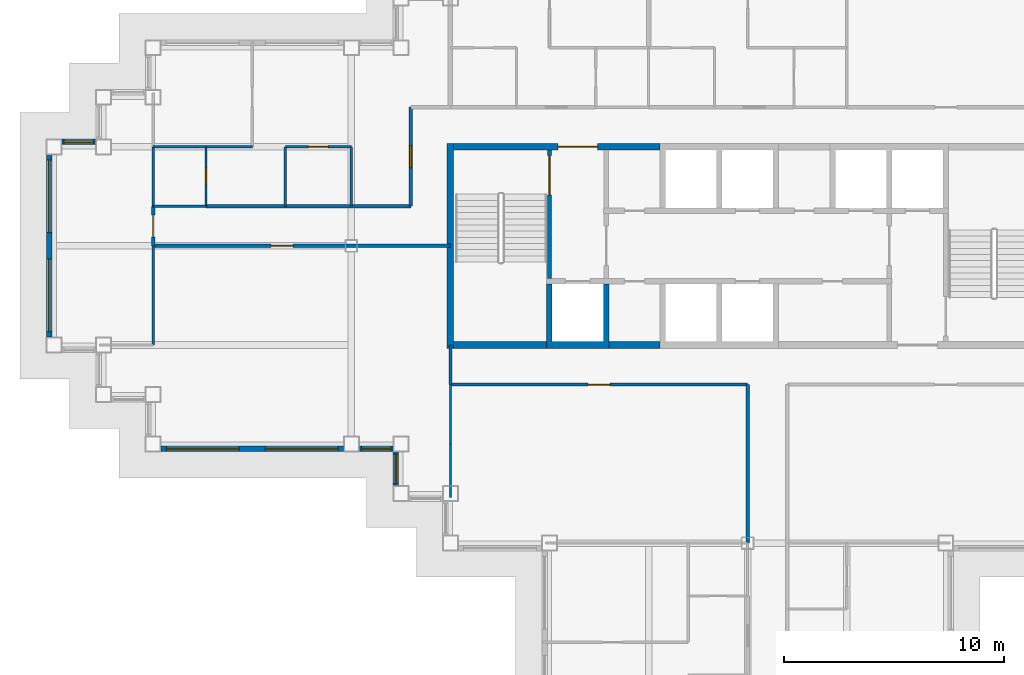
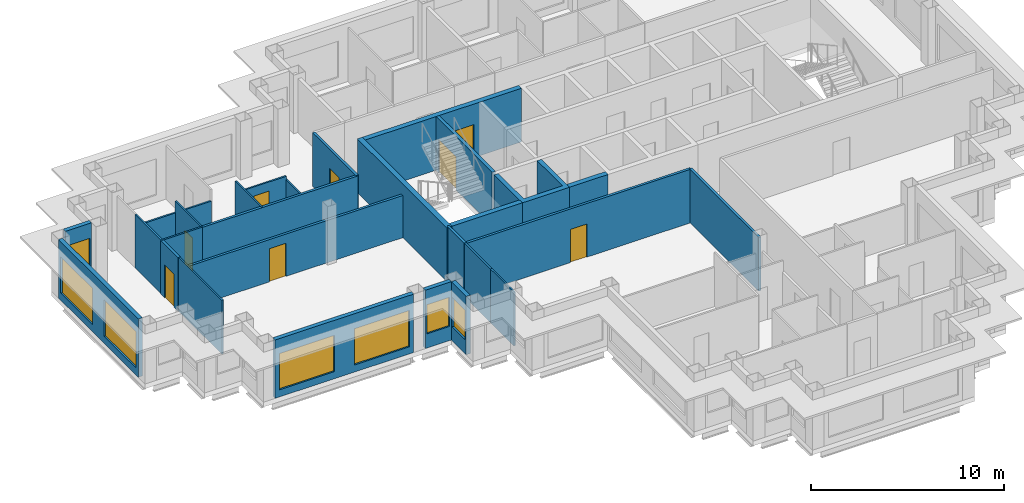
# One storey, part 3 of 11: 29 walls, 8 doors, 7 windows, 15 openings.
"""IFC4 building model written with IfcOpenShell, lengths in metres."""

from ifc_helpers import new_model, si_unit, direction, frame, frame_2d, origin, place, context, subcontext, project, spatial, polyline, rectangle, outline, extrude, material, layer, layer_set, type_object, element, fill, save


model = new_model("IFC4")

# Units and contexts
model_context = context("Model", 3, precision=1e-05, world=origin(), true_north=direction((0.0, 1.0)))
body_context = subcontext(model_context, "Body", "Model", "MODEL_VIEW")
ifc_project = project(units=[si_unit("LENGTHUNIT", "METRE"), si_unit("AREAUNIT", "SQUARE_METRE"), si_unit("VOLUMEUNIT", "CUBIC_METRE"), si_unit("PLANEANGLEUNIT", "RADIAN"), si_unit("MASSUNIT", "GRAM", prefix="KILO")], contexts=[model_context])

# Site, building, storey
site_placement = place(None, origin())
site = spatial("IfcSite", under=ifc_project, at=site_placement, CompositionType="ELEMENT")
building_placement = place(site_placement, origin())
building = spatial("IfcBuilding", under=site, at=building_placement, Name="Caravel Reach Hotel and Residences", CompositionType="ELEMENT")
storey_placement = place(building_placement, frame((0.0, 0.0, 210.89990234375)))
storey = spatial("IfcBuildingStorey", under=building, at=storey_placement, Name="L53", CompositionType="ELEMENT", Elevation=210.89990234375)

# Walls
ifc_material_1 = material(Name="Gypsum board on steel stud", Category="steel")
ifc_layer_1 = layer(ifc_material_1, 0.10009765625)
ifc_layer_set_1 = layer_set([ifc_layer_1], Name="Bathroom pod wall 100 mm")
wall_type_1 = type_object("IfcWallType", Name="Bathroom pod wall 100 mm", PredefinedType="PARTITIONING", material=ifc_layer_set_1)
wall_1_placement = place(storey_placement, frame((4.5, 28.800048828125, 0.0), z_axis=(0.0, 0.0, 1.0), x_axis=(1.0, 0.0, 0.0)))
element("IfcWall", 1, at=wall_1_placement, inside=storey, type_object=wall_type_1, Name="L53 wall w066", PredefinedType="PARTITIONING", context=body_context, shape_type="SweptSolid", body=[
    extrude(rectangle(XDim=2.39990234375, YDim=0.10009765625, at=frame_2d((1.199951171875, 0.0))), origin(), (0.0, 0.0, 1.0), 3.400146484375),
])
wall_2_placement = place(storey_placement, frame((4.5, 31.5, 0.0), z_axis=(0.0, 0.0, 1.0), x_axis=(1.0, 0.0, 0.0)))
element("IfcWall", 2, at=wall_2_placement, inside=storey, type_object=wall_type_1, Name="L53 wall w067", PredefinedType="PARTITIONING", context=body_context, shape_type="SweptSolid", body=[
    extrude(rectangle(XDim=2.39990234375, YDim=0.10009765625, at=frame_2d((1.199951171875, 0.0))), origin(), (0.0, 0.0, 1.0), 2.68017578125),
])
wall_3_placement = place(storey_placement, frame((4.5, 28.800048828125, 0.0), z_axis=(0.0, 0.0, 1.0), x_axis=(0.0, 1.0, 0.0)))
element("IfcWall", 3, at=wall_3_placement, inside=storey, type_object=wall_type_1, Name="L53 wall w082", PredefinedType="PARTITIONING", context=body_context, shape_type="SweptSolid", body=[
    extrude(rectangle(XDim=2.699951171875, YDim=0.10009765625, at=frame_2d((1.35009765625, 0.0))), origin(), (0.0, 0.0, 1.0), 3.400146484375),
])

# Wall, opening, door
wall_4_placement = place(storey_placement, frame((6.89990234375, 28.800048828125, 0.0), z_axis=(0.0, 0.0, 1.0), x_axis=(0.0, 1.0, 0.0)))
wall_4 = element("IfcWall", 4, at=wall_4_placement, inside=storey, type_object=wall_type_1, Name="L53 wall w083", PredefinedType="PARTITIONING", context=body_context, shape_type="SweptSolid", body=[
    extrude(rectangle(XDim=2.699951171875, YDim=0.10009765625, at=frame_2d((1.35009765625, 0.0))), origin(), (0.0, 0.0, 1.0), 3.400146484375),
])
opening_1_placement = place(wall_4_placement, frame((0.949951171875, 0.0, 0.0)))
opening_1 = element("IfcOpeningElement", 5, at=opening_1_placement, cuts=wall_4, Name="Opening D53-026", PredefinedType="OPENING", context=body_context, shape_type="SweptSolid", body=[
    extrude(rectangle(XDim=0.800048828125, YDim=2.10009765625, at=frame_2d((0.39990234375, 1.050048828125))), frame((0.0, 0.06005859375, 0.0), z_axis=(0.0, -1.0, 0.0), x_axis=(1.0, 0.0, 0.0)), (0.0, 0.0, 1.0), 0.1201171875),
])
ifc_material_2 = material(Name="Timber and steel door leaf", Category="steel")
door_type_1 = type_object("IfcDoorType", Name="Bathroom door 800 x 2100", OperationType="SINGLE_SWING_LEFT", PredefinedType="DOOR", material=ifc_material_2)
door_1_placement = place(opening_1_placement, origin())
door_1 = element("IfcDoor", 6, at=door_1_placement, inside=storey, type_object=door_type_1, Name="door D53-026", OperationType="SINGLE_SWING_LEFT", OverallHeight=2.10009765625, OverallWidth=0.800048828125, PredefinedType="DOOR", context=body_context, shape_type="SweptSolid", body=[
    extrude(rectangle(XDim=0.800048828125, YDim=2.10009765625, at=frame_2d((0.39990234375, 1.050048828125))), frame((0.0, 0.02490234375, 0.0), z_axis=(0.0, -1.0, 0.0), x_axis=(1.0, 0.0, 0.0)), (0.0, 0.0, 1.0), 0.050048828125),
])
fill(opening_1, door_1)

# Walls
ifc_material_3 = material(Name="Concrete C60", Category="concrete")
ifc_layer_2 = layer(ifc_material_3, 0.300048828125)
ifc_layer_set_2 = layer_set([ifc_layer_2], Name="Core wall 300 mm EI 120")
wall_type_2 = type_object("IfcWallType", Name="Core wall 300 mm EI 120", PredefinedType="SHEAR", material=ifc_layer_set_2)
wall_5_placement = place(storey_placement, frame((18.14990234375, 22.5, 0.0), z_axis=(0.0, 0.0, 1.0), x_axis=(1.0, 0.0, 0.0)))
element("IfcWall", 7, at=wall_5_placement, inside=storey, type_object=wall_type_2, Name="L53 core wall S1", PredefinedType="SHEAR", context=body_context, shape_type="SweptSolid", body=[
    extrude(rectangle(XDim=4.22509765625, YDim=0.300048828125, at=frame_2d((2.112548828125, 0.0))), origin(), (0.0, 0.0, 1.0), 3.400146484375),
])
wall_6_placement = place(storey_placement, frame((25.196533203125, 22.5, 0.0), z_axis=(0.0, 0.0, 1.0), x_axis=(1.0, 0.0, 0.0)))
element("IfcWall", 8, at=wall_6_placement, inside=storey, type_object=wall_type_2, Name="L53 core wall S2", PredefinedType="SHEAR", context=body_context, shape_type="SweptSolid", body=[
    extrude(rectangle(XDim=2.3212890625, YDim=0.300048828125, at=frame_2d((1.16064453125, 0.0))), origin(), (0.0, 0.0, 1.0), 3.400146484375),
])

# Wall, opening, door
wall_7_placement = place(storey_placement, frame((18.14990234375, 31.5, 0.0), z_axis=(0.0, 0.0, 1.0), x_axis=(1.0, 0.0, 0.0)))
wall_7 = element("IfcWall", 9, at=wall_7_placement, inside=storey, type_object=wall_type_2, Name="L53 core wall N1", PredefinedType="SHEAR", context=body_context, shape_type="SweptSolid", body=[
    extrude(rectangle(XDim=9.367919921875, YDim=0.300048828125, at=frame_2d((4.68408203125, 0.0))), origin(), (0.0, 0.0, 1.0), 3.400146484375),
])
opening_2_placement = place(wall_7_placement, frame((4.735595703125, 0.0, 0.0)))
opening_2 = element("IfcOpeningElement", 10, at=opening_2_placement, cuts=wall_7, Name="Opening D53-014", PredefinedType="OPENING", context=body_context, shape_type="SweptSolid", body=[
    extrude(rectangle(XDim=1.800048828125, YDim=2.10009765625, at=frame_2d((0.89990234375, 1.050048828125))), frame((0.0, 0.159912109375, 0.0), z_axis=(0.0, -1.0, 0.0), x_axis=(1.0, 0.0, 0.0)), (0.0, 0.0, 1.0), 0.320068359375),
])
ifc_material_4 = material(Name="Steel fire door leaf", Category="steel")
door_type_2 = type_object("IfcDoorType", Name="Fire lobby door pair 1800 x 2100 EI 90", OperationType="DOUBLE_DOOR_SINGLE_SWING", PredefinedType="DOOR", material=ifc_material_4)
door_2_placement = place(opening_2_placement, origin())
door_2 = element("IfcDoor", 11, at=door_2_placement, inside=storey, type_object=door_type_2, Name="lobby N door pair to corridor", OperationType="DOUBLE_DOOR_SINGLE_SWING", OverallHeight=2.10009765625, OverallWidth=1.800048828125, PredefinedType="DOOR", context=body_context, shape_type="SweptSolid", body=[
    extrude(rectangle(XDim=1.800048828125, YDim=2.10009765625, at=frame_2d((0.89990234375, 1.050048828125))), frame((0.0, 0.02490234375, 0.0), z_axis=(0.0, -1.0, 0.0), x_axis=(1.0, 0.0, 0.0)), (0.0, 0.0, 1.0), 0.050048828125),
])
fill(opening_2, door_2)

# Wall
wall_8_placement = place(storey_placement, frame((18.0, 22.35009765625, 0.0), z_axis=(0.0, 0.0, 1.0), x_axis=(0.0, 1.0, 0.0)))
element("IfcWall", 12, at=wall_8_placement, inside=storey, type_object=wall_type_2, Name="L53 core wall W", PredefinedType="SHEAR", context=body_context, shape_type="SweptSolid", body=[
    extrude(rectangle(XDim=9.2998046875, YDim=0.300048828125, at=frame_2d((4.64990234375, 0.0))), origin(), (0.0, 0.0, 1.0), 3.400146484375),
])

# Wall, opening, door
ifc_material_5 = material(Name="Gypsum board on steel stud, fire-rated", Category="steel")
ifc_layer_3 = layer(ifc_material_5, 0.14990234375)
ifc_layer_set_3 = layer_set([ifc_layer_3], Name="Corridor wall 150 mm EI 60")
wall_type_3 = type_object("IfcWallType", Name="Corridor wall 150 mm EI 60", PredefinedType="PARTITIONING", material=ifc_layer_set_3)
wall_9_placement = place(storey_placement, frame((18.0, 20.699951171875, 0.0), z_axis=(0.0, 0.0, 1.0), x_axis=(1.0, 0.0, 0.0)))
wall_9 = element("IfcWall", 13, at=wall_9_placement, inside=storey, type_object=wall_type_3, Name="L53 wall w004", PredefinedType="PARTITIONING", context=body_context, shape_type="SweptSolid", body=[
    extrude(rectangle(XDim=13.5, YDim=0.14990234375, at=frame_2d((6.75, 0.0))), origin(), (0.0, 0.0, 1.0), 3.400146484375),
])
opening_3_placement = place(wall_9_placement, frame((6.25, 0.0, 0.0)))
opening_3 = element("IfcOpeningElement", 14, at=opening_3_placement, cuts=wall_9, Name="Opening D53-030", PredefinedType="OPENING", context=body_context, shape_type="SweptSolid", body=[
    extrude(rectangle(XDim=1.0, YDim=2.10009765625, at=frame_2d((0.5, 1.050048828125))), frame((0.0, 0.0849609375, 0.0), z_axis=(0.0, -1.0, 0.0), x_axis=(1.0, 0.0, 0.0)), (0.0, 0.0, 1.0), 0.169921875),
])
ifc_material_6 = material(Name="Steel fire door leaf", Category="steel")
door_type_3 = type_object("IfcDoorType", Name="Fire door 1000 x 2100 EI 60", OperationType="SINGLE_SWING_LEFT", PredefinedType="DOOR", material=ifc_material_6)
door_3_placement = place(opening_3_placement, origin())
door_3 = element("IfcDoor", 15, at=door_3_placement, inside=storey, type_object=door_type_3, Name="door D53-030", OperationType="SINGLE_SWING_RIGHT", OverallHeight=2.10009765625, OverallWidth=1.0, PredefinedType="DOOR", context=body_context, shape_type="SweptSolid", body=[
    extrude(rectangle(XDim=1.0, YDim=2.10009765625, at=frame_2d((0.5, 1.050048828125))), frame((0.0, 0.02490234375, 0.0), z_axis=(0.0, -1.0, 0.0), x_axis=(1.0, 0.0, 0.0)), (0.0, 0.0, 1.0), 0.050048828125),
])
fill(opening_3, door_3)

wall_10_placement = place(storey_placement, frame((4.5, 27.0, 0.0), z_axis=(0.0, 0.0, 1.0), x_axis=(1.0, 0.0, 0.0)))
wall_10 = element("IfcWall", 16, at=wall_10_placement, inside=storey, type_object=wall_type_3, Name="L53 wall w006", PredefinedType="PARTITIONING", context=body_context, shape_type="SweptSolid", body=[
    extrude(rectangle(XDim=13.5, YDim=0.14990234375, at=frame_2d((6.75, 0.0))), origin(), (0.0, 0.0, 1.0), 2.68017578125),
])
opening_4_placement = place(wall_10_placement, frame((5.35009765625, 0.0, 0.0)))
opening_4 = element("IfcOpeningElement", 17, at=opening_4_placement, cuts=wall_10, Name="Opening D53-029", PredefinedType="OPENING", context=body_context, shape_type="SweptSolid", body=[
    extrude(rectangle(XDim=1.0, YDim=2.10009765625, at=frame_2d((0.5, 1.050048828125))), frame((0.0, 0.0849609375, 0.0), z_axis=(0.0, -1.0, 0.0), x_axis=(1.0, 0.0, 0.0)), (0.0, 0.0, 1.0), 0.169921875),
])
door_4_placement = place(opening_4_placement, origin())
door_4 = element("IfcDoor", 18, at=door_4_placement, inside=storey, type_object=door_type_3, Name="door D53-029", OperationType="SINGLE_SWING_LEFT", OverallHeight=2.10009765625, OverallWidth=1.0, PredefinedType="DOOR", context=body_context, shape_type="SweptSolid", body=[
    extrude(rectangle(XDim=1.0, YDim=2.10009765625, at=frame_2d((0.5, 1.050048828125))), frame((0.0, 0.02490234375, 0.0), z_axis=(0.0, -1.0, 0.0), x_axis=(1.0, 0.0, 0.0)), (0.0, 0.0, 1.0), 0.050048828125),
])
fill(opening_4, door_4)

# Wall
wall_11_placement = place(storey_placement, frame((6.89990234375, 28.800048828125, 0.0), z_axis=(0.0, 0.0, 1.0), x_axis=(1.0, 0.0, 0.0)))
element("IfcWall", 19, at=wall_11_placement, inside=storey, type_object=wall_type_3, Name="L53 wall w007", PredefinedType="PARTITIONING", context=body_context, shape_type="SweptSolid", body=[
    extrude(rectangle(XDim=9.299072265625, YDim=0.14990234375, at=frame_2d((4.6494140625, 0.0))), origin(), (0.0, 0.0, 1.0), 3.400146484375),
])

# Wall, opening, door
wall_12_placement = place(storey_placement, frame((16.199951171875, 28.801025390625, 0.0), z_axis=(0.0, 0.0, 1.0), x_axis=(0.0, 1.0, 0.0)))
wall_12 = element("IfcWall", 20, at=wall_12_placement, inside=storey, type_object=wall_type_3, Name="L53 wall w017", PredefinedType="PARTITIONING", context=body_context, shape_type="SweptSolid", body=[
    extrude(rectangle(XDim=4.4990234375, YDim=0.14990234375, at=frame_2d((2.24951171875, 0.0))), origin(), (0.0, 0.0, 1.0), 3.400146484375),
])
opening_5_placement = place(wall_12_placement, frame((1.74951171875, 0.0, 0.0)))
opening_5 = element("IfcOpeningElement", 21, at=opening_5_placement, cuts=wall_12, Name="Opening D53-025", PredefinedType="OPENING", context=body_context, shape_type="SweptSolid", body=[
    extrude(rectangle(XDim=1.0, YDim=2.199951171875, at=frame_2d((0.5, 1.10009765625))), frame((0.0, 0.0849609375, 0.0), z_axis=(0.0, -1.0, 0.0), x_axis=(1.0, 0.0, 0.0)), (0.0, 0.0, 1.0), 0.169921875),
])
ifc_material_7 = material(Name="Steel fire door leaf", Category="steel")
door_type_4 = type_object("IfcDoorType", Name="Flat entrance door 1000 x 2200 EI 60", OperationType="SINGLE_SWING_LEFT", PredefinedType="DOOR", material=ifc_material_7)
door_5_placement = place(opening_5_placement, origin())
door_5 = element("IfcDoor", 22, at=door_5_placement, inside=storey, type_object=door_type_4, Name="door D53-025", OperationType="SINGLE_SWING_LEFT", OverallHeight=2.199951171875, OverallWidth=1.0, PredefinedType="DOOR", context=body_context, shape_type="SweptSolid", body=[
    extrude(rectangle(XDim=1.0, YDim=2.199951171875, at=frame_2d((0.5, 1.10009765625))), frame((0.0, 0.02490234375, 0.0), z_axis=(0.0, -1.0, 0.0), x_axis=(1.0, 0.0, 0.0)), (0.0, 0.0, 1.0), 0.050048828125),
])
fill(opening_5, door_5)

# Walls
wall_13_placement = place(storey_placement, frame((18.0, 20.699951171875, 0.0), z_axis=(0.0, 0.0, 1.0), x_axis=(0.0, 1.0, 0.0)))
element("IfcWall", 23, at=wall_13_placement, inside=storey, type_object=wall_type_3, Name="L53 wall w018", PredefinedType="PARTITIONING", context=body_context, shape_type="SweptSolid", body=[
    extrude(rectangle(XDim=1.800048828125, YDim=0.14990234375, at=frame_2d((0.89990234375, 0.0))), origin(), (0.0, 0.0, 1.0), 3.400146484375),
])
wall_14_placement = place(storey_placement, frame((31.5, 13.5, 0.0), z_axis=(0.0, 0.0, 1.0), x_axis=(0.0, 1.0, 0.0)))
element("IfcWall", 24, at=wall_14_placement, inside=storey, type_object=wall_type_3, Name="L53 wall w021", PredefinedType="PARTITIONING", context=body_context, shape_type="SweptSolid", body=[
    extrude(rectangle(XDim=7.199951171875, YDim=0.14990234375, at=frame_2d((3.60009765625, 0.0))), origin(), (0.0, 0.0, 1.0), 3.400146484375),
])

# Wall, opening, door
wall_15_placement = place(storey_placement, frame((4.5, 27.0, 0.0), z_axis=(0.0, 0.0, 1.0), x_axis=(0.0, 1.0, 0.0)))
wall_15 = element("IfcWall", 25, at=wall_15_placement, inside=storey, type_object=wall_type_3, Name="L53 wall w025", PredefinedType="PARTITIONING", context=body_context, shape_type="SweptSolid", body=[
    extrude(rectangle(XDim=1.800048828125, YDim=0.14990234375, at=frame_2d((0.89990234375, 0.0))), origin(), (0.0, 0.0, 1.0), 3.400146484375),
])
opening_6_placement = place(wall_15_placement, frame((0.39990234375, 0.0, 0.0)))
opening_6 = element("IfcOpeningElement", 26, at=opening_6_placement, cuts=wall_15, Name="Opening D53-040", PredefinedType="OPENING", context=body_context, shape_type="SweptSolid", body=[
    extrude(rectangle(XDim=1.0, YDim=2.10009765625, at=frame_2d((0.5, 1.050048828125))), frame((0.0, 0.0849609375, 0.0), z_axis=(0.0, -1.0, 0.0), x_axis=(1.0, 0.0, 0.0)), (0.0, 0.0, 1.0), 0.169921875),
])
door_6_placement = place(opening_6_placement, origin())
door_6 = element("IfcDoor", 27, at=door_6_placement, inside=storey, type_object=door_type_3, Name="door D53-040", OperationType="SINGLE_SWING_LEFT", OverallHeight=2.10009765625, OverallWidth=1.0, PredefinedType="DOOR", context=body_context, shape_type="SweptSolid", body=[
    extrude(rectangle(XDim=1.0, YDim=2.10009765625, at=frame_2d((0.5, 1.050048828125))), frame((0.0, 0.02490234375, 0.0), z_axis=(0.0, -1.0, 0.0), x_axis=(1.0, 0.0, 0.0)), (0.0, 0.0, 1.0), 0.050048828125),
])
fill(opening_6, door_6)

# Wall, opening, window
ifc_material_8 = material(Name="Insulated rainscreen wall, aluminium cladding", Category="aluminium")
ifc_layer_4 = layer(ifc_material_8, 0.25)
ifc_layer_set_4 = layer_set([ifc_layer_4], Name="EW1 Tower rainscreen wall")
wall_type_4 = type_object("IfcWallType", Name="EW1 Tower rainscreen wall", PredefinedType="SOLIDWALL", material=ifc_layer_set_4)
wall_16_placement = place(storey_placement, frame((1.89990234375, 31.72509765625, 0.0), z_axis=(0.0, 0.0, 1.0), x_axis=(-1.0, 0.0, 0.0)))
wall_16 = element("IfcWall", 28, at=wall_16_placement, inside=storey, type_object=wall_type_4, Name="External wall L53 N19.1", PredefinedType="SOLIDWALL", context=body_context, shape_type="SweptSolid", body=[
    extrude(rectangle(XDim=1.5498046875, YDim=0.25, at=frame_2d((0.77490234375, 0.0))), origin(), (0.0, 0.0, 1.0), 3.7001953125),
])
opening_7_placement = place(wall_16_placement, frame((0.10009765625, 0.0, 0.89990234375)))
opening_7 = element("IfcOpeningElement", 29, at=opening_7_placement, cuts=wall_16, Name="Opening WN21", PredefinedType="OPENING", context=body_context, shape_type="SweptSolid", body=[
    extrude(rectangle(XDim=1.35009765625, YDim=1.85009765625, at=frame_2d((0.675048828125, 0.925048828125))), frame((0.0, 0.135009765625, 0.0), z_axis=(0.0, -1.0, 0.0), x_axis=(1.0, 0.0, 0.0)), (0.0, 0.0, 1.0), 0.27001953125),
])
ifc_material_9 = material(Name="Dark low-e glazing in black aluminium frame", Category="aluminium")
window_type_1 = type_object("IfcWindowType", Name="Residence bedroom window 1350 x 1850", PartitioningType="SINGLE_PANEL", PredefinedType="WINDOW", material=ifc_material_9)
window_1_placement = place(opening_7_placement, origin())
window_1 = element("IfcWindow", 30, at=window_1_placement, inside=storey, type_object=window_type_1, Name="Window L53 N19.1.1", OverallHeight=1.85009765625, OverallWidth=1.35009765625, PartitioningType="SINGLE_PANEL", PredefinedType="WINDOW", context=body_context, shape_type="SweptSolid", body=[
    extrude(rectangle(XDim=1.35009765625, YDim=1.85009765625, at=frame_2d((0.675048828125, 0.925048828125))), frame((0.0, 0.030029296875, 0.0), z_axis=(0.0, -1.0, 0.0), x_axis=(1.0, 0.0, 0.0)), (0.0, 0.0, 1.0), 0.06005859375),
])
fill(opening_7, window_1)

# Wall, openings, windows
wall_17_placement = place(storey_placement, frame((-0.22509765625, 31.14990234375, 0.0), z_axis=(0.0, 0.0, 1.0), x_axis=(0.0, -1.0, 0.0)))
wall_17 = element("IfcWall", 31, at=wall_17_placement, inside=storey, type_object=wall_type_4, Name="External wall L53 W20.1", PredefinedType="SOLIDWALL", context=body_context, shape_type="SweptSolid", body=[
    extrude(rectangle(XDim=8.2998046875, YDim=0.25, at=frame_2d((4.14990234375, 0.0))), origin(), (0.0, 0.0, 1.0), 3.7001953125),
])
opening_8_placement = place(wall_17_placement, frame((0.25, 0.0, 0.449951171875)))
opening_8 = element("IfcOpeningElement", 32, at=opening_8_placement, cuts=wall_17, Name="Opening WN15", PredefinedType="OPENING", context=body_context, shape_type="SweptSolid", body=[
    extrude(rectangle(XDim=3.300048828125, YDim=2.300048828125, at=frame_2d((1.64990234375, 1.14990234375))), frame((0.0, 0.135009765625, 0.0), z_axis=(0.0, -1.0, 0.0), x_axis=(1.0, 0.0, 0.0)), (0.0, 0.0, 1.0), 0.27001953125),
])
opening_9_placement = place(wall_17_placement, frame((4.75, 0.0, 0.449951171875)))
opening_9 = element("IfcOpeningElement", 33, at=opening_9_placement, cuts=wall_17, Name="Opening WN15", PredefinedType="OPENING", context=body_context, shape_type="SweptSolid", body=[
    extrude(rectangle(XDim=3.300048828125, YDim=2.300048828125, at=frame_2d((1.64990234375, 1.14990234375))), frame((0.0, 0.135009765625, 0.0), z_axis=(0.0, -1.0, 0.0), x_axis=(1.0, 0.0, 0.0)), (0.0, 0.0, 1.0), 0.27001953125),
])
ifc_material_10 = material(Name="Dark low-e glazing in black aluminium frame", Category="aluminium")
window_type_2 = type_object("IfcWindowType", Name="Residence living window 3300 x 2300", PartitioningType="SINGLE_PANEL", PredefinedType="WINDOW", material=ifc_material_10)
window_2_placement = place(opening_8_placement, origin())
window_2 = element("IfcWindow", 34, at=window_2_placement, inside=storey, type_object=window_type_2, Name="Window L53 W20.1.1", OverallHeight=2.300048828125, OverallWidth=3.300048828125, PartitioningType="SINGLE_PANEL", PredefinedType="WINDOW", context=body_context, shape_type="SweptSolid", body=[
    extrude(rectangle(XDim=3.300048828125, YDim=2.300048828125, at=frame_2d((1.64990234375, 1.14990234375))), frame((0.0, 0.030029296875, 0.0), z_axis=(0.0, -1.0, 0.0), x_axis=(1.0, 0.0, 0.0)), (0.0, 0.0, 1.0), 0.06005859375),
])
fill(opening_8, window_2)
window_3_placement = place(opening_9_placement, origin())
window_3 = element("IfcWindow", 35, at=window_3_placement, inside=storey, type_object=window_type_2, Name="Window L53 W20.1.2", OverallHeight=2.300048828125, OverallWidth=3.300048828125, PartitioningType="SINGLE_PANEL", PredefinedType="WINDOW", context=body_context, shape_type="SweptSolid", body=[
    extrude(rectangle(XDim=3.300048828125, YDim=2.300048828125, at=frame_2d((1.64990234375, 1.14990234375))), frame((0.0, 0.030029296875, 0.0), z_axis=(0.0, -1.0, 0.0), x_axis=(1.0, 0.0, 0.0)), (0.0, 0.0, 1.0), 0.06005859375),
])
fill(opening_9, window_3)

wall_18_placement = place(storey_placement, frame((4.85009765625, 17.77490234375, 0.0), z_axis=(0.0, 0.0, 1.0), x_axis=(1.0, 0.0, 0.0)))
wall_18 = element("IfcWall", 36, at=wall_18_placement, inside=storey, type_object=wall_type_4, Name="External wall L53 S25.1", PredefinedType="SOLIDWALL", context=body_context, shape_type="SweptSolid", body=[
    extrude(rectangle(XDim=8.2998046875, YDim=0.25, at=frame_2d((4.14990234375, 0.0))), origin(), (0.0, 0.0, 1.0), 3.7001953125),
])
opening_10_placement = place(wall_18_placement, frame((0.25, 0.0, 0.449951171875)))
opening_10 = element("IfcOpeningElement", 37, at=opening_10_placement, cuts=wall_18, Name="Opening WN15", PredefinedType="OPENING", context=body_context, shape_type="SweptSolid", body=[
    extrude(rectangle(XDim=3.300048828125, YDim=2.300048828125, at=frame_2d((1.64990234375, 1.14990234375))), frame((0.0, 0.135009765625, 0.0), z_axis=(0.0, -1.0, 0.0), x_axis=(1.0, 0.0, 0.0)), (0.0, 0.0, 1.0), 0.27001953125),
])
opening_11_placement = place(wall_18_placement, frame((4.75, 0.0, 0.449951171875)))
opening_11 = element("IfcOpeningElement", 38, at=opening_11_placement, cuts=wall_18, Name="Opening WN15", PredefinedType="OPENING", context=body_context, shape_type="SweptSolid", body=[
    extrude(rectangle(XDim=3.300048828125, YDim=2.300048828125, at=frame_2d((1.64990234375, 1.14990234375))), frame((0.0, 0.135009765625, 0.0), z_axis=(0.0, -1.0, 0.0), x_axis=(1.0, 0.0, 0.0)), (0.0, 0.0, 1.0), 0.27001953125),
])
window_4_placement = place(opening_10_placement, origin())
window_4 = element("IfcWindow", 39, at=window_4_placement, inside=storey, type_object=window_type_2, Name="Window L53 S25.1.1", OverallHeight=2.300048828125, OverallWidth=3.300048828125, PartitioningType="SINGLE_PANEL", PredefinedType="WINDOW", context=body_context, shape_type="SweptSolid", body=[
    extrude(rectangle(XDim=3.300048828125, YDim=2.300048828125, at=frame_2d((1.64990234375, 1.14990234375))), frame((0.0, 0.030029296875, 0.0), z_axis=(0.0, -1.0, 0.0), x_axis=(1.0, 0.0, 0.0)), (0.0, 0.0, 1.0), 0.06005859375),
])
fill(opening_10, window_4)
window_5_placement = place(opening_11_placement, origin())
window_5 = element("IfcWindow", 40, at=window_5_placement, inside=storey, type_object=window_type_2, Name="Window L53 S25.1.2", OverallHeight=2.300048828125, OverallWidth=3.300048828125, PartitioningType="SINGLE_PANEL", PredefinedType="WINDOW", context=body_context, shape_type="SweptSolid", body=[
    extrude(rectangle(XDim=3.300048828125, YDim=2.300048828125, at=frame_2d((1.64990234375, 1.14990234375))), frame((0.0, 0.030029296875, 0.0), z_axis=(0.0, -1.0, 0.0), x_axis=(1.0, 0.0, 0.0)), (0.0, 0.0, 1.0), 0.06005859375),
])
fill(opening_11, window_5)

# Wall, opening, window
wall_19_placement = place(storey_placement, frame((13.85009765625, 17.77490234375, 0.0), z_axis=(0.0, 0.0, 1.0), x_axis=(1.0, 0.0, 0.0)))
wall_19 = element("IfcWall", 41, at=wall_19_placement, inside=storey, type_object=wall_type_4, Name="External wall L53 S25.2", PredefinedType="SOLIDWALL", context=body_context, shape_type="SweptSolid", body=[
    extrude(rectangle(XDim=1.5498046875, YDim=0.25, at=frame_2d((0.77490234375, 0.0))), origin(), (0.0, 0.0, 1.0), 3.7001953125),
])
opening_12_placement = place(wall_19_placement, frame((0.10009765625, 0.0, 0.89990234375)))
opening_12 = element("IfcOpeningElement", 42, at=opening_12_placement, cuts=wall_19, Name="Opening WN21", PredefinedType="OPENING", context=body_context, shape_type="SweptSolid", body=[
    extrude(rectangle(XDim=1.35009765625, YDim=1.85009765625, at=frame_2d((0.675048828125, 0.925048828125))), frame((0.0, 0.135009765625, 0.0), z_axis=(0.0, -1.0, 0.0), x_axis=(1.0, 0.0, 0.0)), (0.0, 0.0, 1.0), 0.27001953125),
])
window_6_placement = place(opening_12_placement, origin())
window_6 = element("IfcWindow", 43, at=window_6_placement, inside=storey, type_object=window_type_1, Name="Window L53 S25.2.1", OverallHeight=1.85009765625, OverallWidth=1.35009765625, PartitioningType="SINGLE_PANEL", PredefinedType="WINDOW", context=body_context, shape_type="SweptSolid", body=[
    extrude(rectangle(XDim=1.35009765625, YDim=1.85009765625, at=frame_2d((0.675048828125, 0.925048828125))), frame((0.0, 0.030029296875, 0.0), z_axis=(0.0, -1.0, 0.0), x_axis=(1.0, 0.0, 0.0)), (0.0, 0.0, 1.0), 0.06005859375),
])
fill(opening_12, window_6)

wall_20_placement = place(storey_placement, frame((15.52490234375, 17.64990234375, 0.0), z_axis=(0.0, 0.0, 1.0), x_axis=(0.0, -1.0, 0.0)))
wall_20 = element("IfcWall", 44, at=wall_20_placement, inside=storey, type_object=wall_type_4, Name="External wall L53 W26.1", PredefinedType="SOLIDWALL", context=body_context, shape_type="SweptSolid", body=[
    extrude(rectangle(XDim=1.5498046875, YDim=0.25, at=frame_2d((0.77490234375, 0.0))), origin(), (0.0, 0.0, 1.0), 3.7001953125),
])
opening_13_placement = place(wall_20_placement, frame((0.10009765625, 0.0, 0.89990234375)))
opening_13 = element("IfcOpeningElement", 45, at=opening_13_placement, cuts=wall_20, Name="Opening WN21", PredefinedType="OPENING", context=body_context, shape_type="SweptSolid", body=[
    extrude(rectangle(XDim=1.35009765625, YDim=1.85009765625, at=frame_2d((0.675048828125, 0.925048828125))), frame((0.0, 0.135009765625, 0.0), z_axis=(0.0, -1.0, 0.0), x_axis=(1.0, 0.0, 0.0)), (0.0, 0.0, 1.0), 0.27001953125),
])
window_7_placement = place(opening_13_placement, origin())
window_7 = element("IfcWindow", 46, at=window_7_placement, inside=storey, type_object=window_type_1, Name="Window L53 W26.1.1", OverallHeight=1.85009765625, OverallWidth=1.35009765625, PartitioningType="SINGLE_PANEL", PredefinedType="WINDOW", context=body_context, shape_type="SweptSolid", body=[
    extrude(rectangle(XDim=1.35009765625, YDim=1.85009765625, at=frame_2d((0.675048828125, 0.925048828125))), frame((0.0, 0.030029296875, 0.0), z_axis=(0.0, -1.0, 0.0), x_axis=(1.0, 0.0, 0.0)), (0.0, 0.0, 1.0), 0.06005859375),
])
fill(opening_13, window_7)

# Wall
ifc_material_11 = material(Name="Gypsum board on steel stud", Category="steel")
ifc_layer_5 = layer(ifc_material_11, 0.10009765625)
ifc_layer_set_5 = layer_set([ifc_layer_5], Name="Partition 100 mm")
wall_type_5 = type_object("IfcWallType", Name="Partition 100 mm", PredefinedType="PARTITIONING", material=ifc_layer_set_5)
wall_21_placement = place(storey_placement, frame((6.89990234375, 31.5, 0.0), z_axis=(0.0, 0.0, 1.0), x_axis=(1.0, 0.0, 0.0)))
element("IfcWall", 47, at=wall_21_placement, inside=storey, type_object=wall_type_5, Name="L53 wall w032", PredefinedType="PARTITIONING", context=body_context, shape_type="SweptSolid", body=[
    extrude(rectangle(XDim=2.10009765625, YDim=0.10009765625, at=frame_2d((1.050048828125, 0.0))), origin(), (0.0, 0.0, 1.0), 2.68017578125),
])

# Wall, opening, door
wall_22_placement = place(storey_placement, frame((10.5, 31.5, 0.0), z_axis=(0.0, 0.0, 1.0), x_axis=(1.0, 0.0, 0.0)))
wall_22 = element("IfcWall", 48, at=wall_22_placement, inside=storey, type_object=wall_type_5, Name="L53 wall w033", PredefinedType="PARTITIONING", context=body_context, shape_type="SweptSolid", body=[
    extrude(rectangle(XDim=3.0, YDim=0.10009765625, at=frame_2d((1.5, 0.0))), origin(), (0.0, 0.0, 1.0), 2.68017578125),
])
opening_14_placement = place(wall_22_placement, frame((1.050048828125, 0.0, 0.0)))
opening_14 = element("IfcOpeningElement", 49, at=opening_14_placement, cuts=wall_22, Name="Opening D53-027", PredefinedType="OPENING", context=body_context, shape_type="SweptSolid", body=[
    extrude(rectangle(XDim=0.89990234375, YDim=2.10009765625, at=frame_2d((0.449951171875, 1.050048828125))), frame((0.0, 0.06005859375, 0.0), z_axis=(0.0, -1.0, 0.0), x_axis=(1.0, 0.0, 0.0)), (0.0, 0.0, 1.0), 0.1201171875),
])
ifc_material_12 = material(Name="Timber and steel door leaf", Category="steel")
door_type_5 = type_object("IfcDoorType", Name="Door 900 x 2100 timber", OperationType="SINGLE_SWING_LEFT", PredefinedType="DOOR", material=ifc_material_12)
door_7_placement = place(opening_14_placement, origin())
door_7 = element("IfcDoor", 50, at=door_7_placement, inside=storey, type_object=door_type_5, Name="door D53-027", OperationType="SINGLE_SWING_LEFT", OverallHeight=2.10009765625, OverallWidth=0.89990234375, PredefinedType="DOOR", context=body_context, shape_type="SweptSolid", body=[
    extrude(rectangle(XDim=0.89990234375, YDim=2.10009765625, at=frame_2d((0.449951171875, 1.050048828125))), frame((0.0, 0.02490234375, 0.0), z_axis=(0.0, -1.0, 0.0), x_axis=(1.0, 0.0, 0.0)), (0.0, 0.0, 1.0), 0.050048828125),
])
fill(opening_14, door_7)

# Walls
wall_23_placement = place(storey_placement, frame((10.5, 28.800048828125, 0.0), z_axis=(0.0, 0.0, 1.0), x_axis=(0.0, 1.0, 0.0)))
element("IfcWall", 51, at=wall_23_placement, inside=storey, type_object=wall_type_5, Name="L53 wall w044", PredefinedType="PARTITIONING", context=body_context, shape_type="SweptSolid", body=[
    extrude(rectangle(XDim=2.699951171875, YDim=0.10009765625, at=frame_2d((1.35009765625, 0.0))), origin(), (0.0, 0.0, 1.0), 3.400146484375),
])
wall_24_placement = place(storey_placement, frame((13.5, 28.801025390625, 0.0), z_axis=(0.0, 0.0, 1.0), x_axis=(0.0, 1.0, 0.0)))
element("IfcWall", 52, at=wall_24_placement, inside=storey, type_object=wall_type_5, Name="L53 wall w045", PredefinedType="PARTITIONING", context=body_context, shape_type="SweptSolid", body=[
    extrude(rectangle(XDim=2.698974609375, YDim=0.10009765625, at=frame_2d((1.349609375, 0.0))), origin(), (0.0, 0.0, 1.0), 2.47998046875),
])
wall_25_placement = place(storey_placement, frame((18.0, 15.56005859375, 0.0), z_axis=(0.0, 0.0, 1.0), x_axis=(0.0, 1.0, 0.0)))
element("IfcWall", 53, at=wall_25_placement, inside=storey, type_object=wall_type_5, Name="L53 wall w046", PredefinedType="PARTITIONING", context=body_context, shape_type="SweptSolid", body=[
    extrude(rectangle(XDim=2.43896484375, YDim=0.10009765625, at=frame_2d((1.219482421875, 0.0))), origin(), (0.0, 0.0, 1.0), 3.400146484375),
])
wall_26_placement = place(storey_placement, frame((18.0, 18.0, 0.0), z_axis=(0.0, 0.0, 1.0), x_axis=(0.0, 1.0, 0.0)))
element("IfcWall", 54, at=wall_26_placement, inside=storey, type_object=wall_type_5, Name="L53 wall w047", PredefinedType="PARTITIONING", context=body_context, shape_type="SweptSolid", body=[
    extrude(rectangle(XDim=2.699951171875, YDim=0.10009765625, at=frame_2d((1.35009765625, 0.0))), origin(), (0.0, 0.0, 1.0), 3.400146484375),
])
wall_27_placement = place(storey_placement, frame((4.5, 22.5, 0.0), z_axis=(0.0, 0.0, 1.0), x_axis=(0.0, 1.0, 0.0)))
element("IfcWall", 55, at=wall_27_placement, inside=storey, type_object=wall_type_5, Name="L53 wall w058", PredefinedType="PARTITIONING", context=body_context, shape_type="SweptSolid", body=[
    extrude(rectangle(XDim=4.5, YDim=0.10009765625, at=frame_2d((2.25, 0.0))), origin(), (0.0, 0.0, 1.0), 3.400146484375),
])
ifc_material_13 = material(Name="Concrete C60", Category="concrete")
ifc_layer_6 = layer(ifc_material_13, 0.25)
ifc_layer_set_6 = layer_set([ifc_layer_6], Name="Shaft wall 250 mm EI 120")
wall_type_6 = type_object("IfcWallType", Name="Shaft wall 250 mm EI 120", PredefinedType="SHEAR", material=ifc_layer_set_6)
wall_28_placement = place(storey_placement, origin())
element("IfcWall", 56, at=wall_28_placement, inside=storey, type_object=wall_type_6, Name="L53 lift shaft wall S1", PredefinedType="SHEAR", context=body_context, shape_type="SweptSolid", body=[
    extrude(outline(polyline([(22.375, 22.35009765625), (25.196533203125, 22.35009765625), (25.196533203125, 25.27490234375), (24.946533203125, 25.27490234375), (24.946533203125, 22.64990234375), (22.625, 22.64990234375), (22.625, 25.27490234375), (22.375, 25.27490234375), (22.375, 22.35009765625)])), origin(), (0.0, 0.0, 1.0), 3.400146484375),
])

# Wall, opening, door
ifc_material_14 = material(Name="Concrete C60", Category="concrete")
ifc_layer_7 = layer(ifc_material_14, 0.199951171875)
ifc_layer_set_7 = layer_set([ifc_layer_7], Name="Stair enclosure wall 200 mm EI 120")
wall_type_7 = type_object("IfcWallType", Name="Stair enclosure wall 200 mm EI 120", PredefinedType="SHEAR", material=ifc_layer_set_7)
wall_29_placement = place(storey_placement, frame((22.5, 31.35009765625, 0.0), z_axis=(0.0, 0.0, 1.0), x_axis=(0.0, -1.0, 0.0)))
wall_29 = element("IfcWall", 57, at=wall_29_placement, inside=storey, type_object=wall_type_7, Name="L53 stair A wall", PredefinedType="SHEAR", context=body_context, shape_type="SweptSolid", body=[
    extrude(rectangle(XDim=5.8251953125, YDim=0.199951171875, at=frame_2d((2.91259765625, 0.0))), origin(), (0.0, 0.0, 1.0), 3.400146484375),
])
opening_15_placement = place(wall_29_placement, frame((0.25, 0.0, 0.0)))
opening_15 = element("IfcOpeningElement", 58, at=opening_15_placement, cuts=wall_29, Name="Opening D53-010", PredefinedType="OPENING", context=body_context, shape_type="SweptSolid", body=[
    extrude(rectangle(XDim=1.800048828125, YDim=2.10009765625, at=frame_2d((0.89990234375, 1.050048828125))), frame((0.0, 0.10986328125, 0.0), z_axis=(0.0, -1.0, 0.0), x_axis=(1.0, 0.0, 0.0)), (0.0, 0.0, 1.0), 0.219970703125),
])
ifc_material_15 = material(Name="Steel fire door leaf", Category="steel")
door_type_6 = type_object("IfcDoorType", Name="Stair door pair 1800 x 2100 EI 90", OperationType="DOUBLE_DOOR_SINGLE_SWING", PredefinedType="DOOR", material=ifc_material_15)
door_8_placement = place(opening_15_placement, origin())
door_8 = element("IfcDoor", 59, at=door_8_placement, inside=storey, type_object=door_type_6, Name="stair A door pair", OperationType="DOUBLE_DOOR_SINGLE_SWING", OverallHeight=2.10009765625, OverallWidth=1.800048828125, PredefinedType="DOOR", context=body_context, shape_type="SweptSolid", body=[
    extrude(rectangle(XDim=1.800048828125, YDim=2.10009765625, at=frame_2d((0.89990234375, 1.050048828125))), frame((0.0, 0.02490234375, 0.0), z_axis=(0.0, -1.0, 0.0), x_axis=(1.0, 0.0, 0.0)), (0.0, 0.0, 1.0), 0.050048828125),
])
fill(opening_15, door_8)

save(model, "model.ifc")
